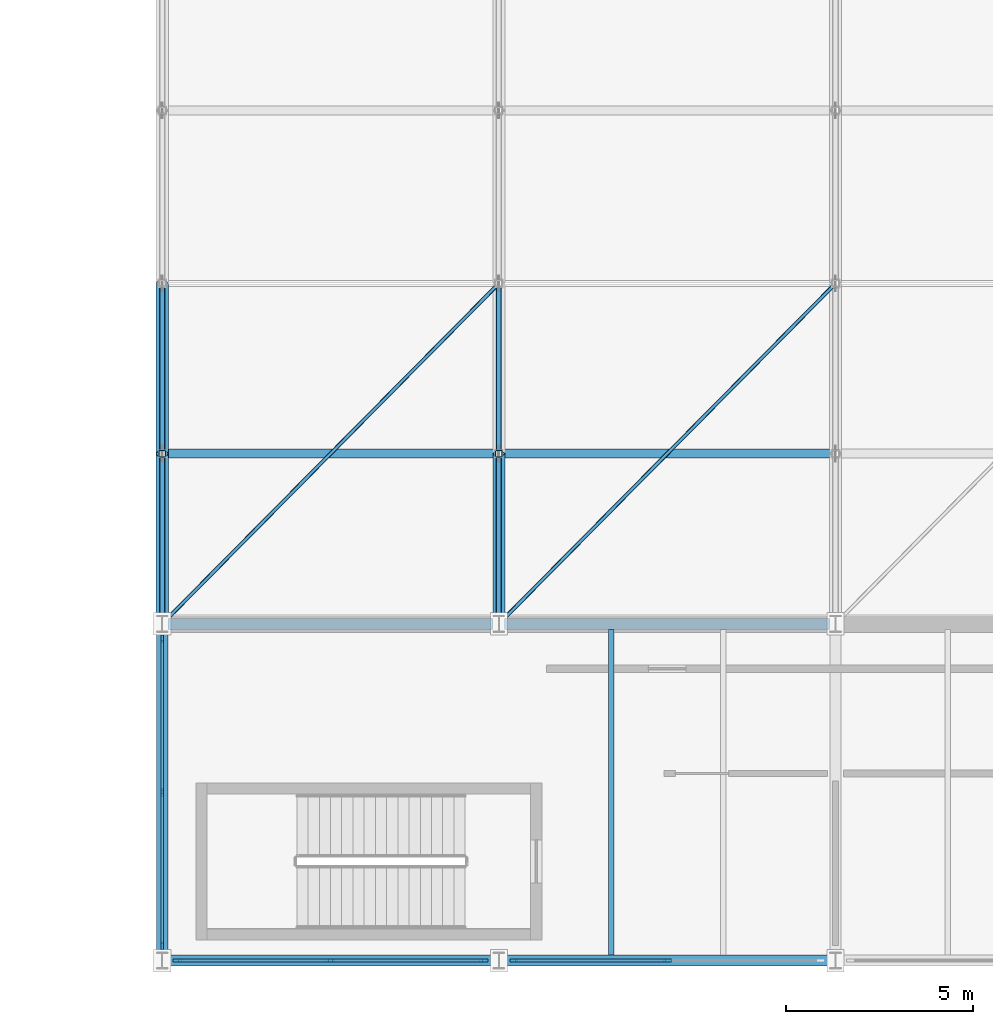
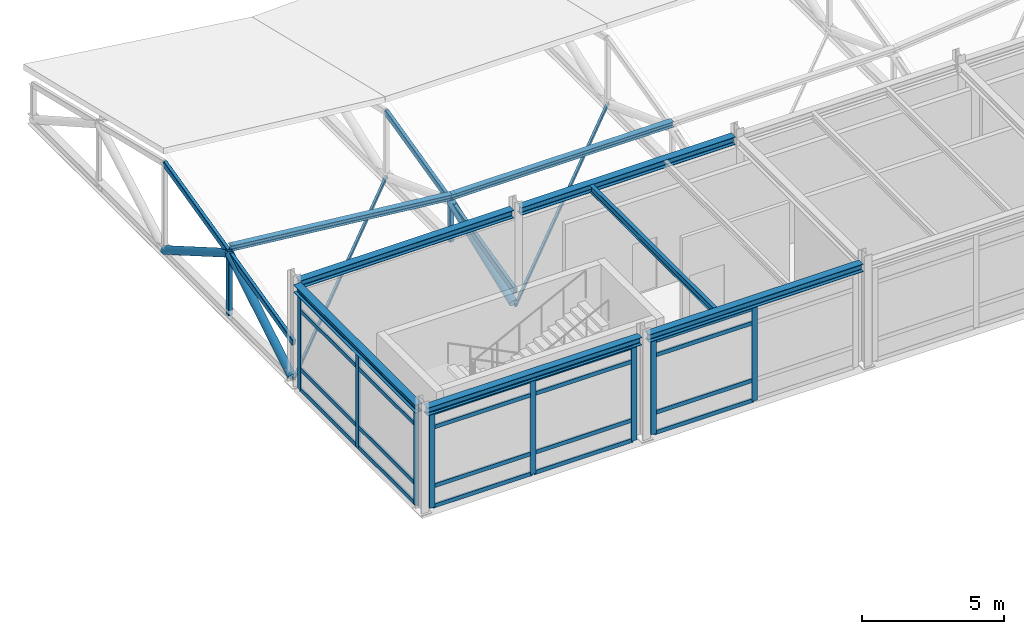
# One storey, part 22 of 90: 39 members, 6 beams, 3 elements without a shape of their own.
"""IFC4 building model written with IfcOpenShell, lengths in metres."""

from ifc_helpers import new_model, si_unit, direction, frame, origin, origin_2d, place, context, subcontext, project, spatial, rectangle, hollow_rectangle, hollow_circle, i_section, extrude, material, material_profile, profile_set, type_object, element, aggregate, save


model = new_model("IFC4")

# Units and contexts
model_context = context("Model", 3, precision=1e-05, world=origin(), true_north=direction((0.0, 1.0)))
body_context = subcontext(model_context, "Body", "Model", "MODEL_VIEW")
ifc_project = project(units=[si_unit("LENGTHUNIT", "METRE"), si_unit("AREAUNIT", "SQUARE_METRE"), si_unit("VOLUMEUNIT", "CUBIC_METRE"), si_unit("PLANEANGLEUNIT", "RADIAN"), si_unit("MASSUNIT", "GRAM", prefix="KILO")], contexts=[model_context])

# Site, building, storey
site_placement = place(None, origin())
site = spatial("IfcSite", under=ifc_project, at=site_placement, CompositionType="ELEMENT")
building_placement = place(site_placement, origin())
building = spatial("IfcBuilding", under=site, at=building_placement, Name="Bozkorgan Art Gallery", CompositionType="ELEMENT")
storey_placement = place(building_placement, frame((0.0, 0.0, 5.39990234375)))
storey = spatial("IfcBuildingStorey", under=building, at=storey_placement, Name="L01", CompositionType="ELEMENT", Elevation=5.39990234375)

# Beams
ifc_material_1 = material(Name="Steel S355J2", Category="steel")
ifc_material_profile_1 = material_profile(ifc_material_1, i_section(OverallWidth=0.14990234375, OverallDepth=0.300048828125, WebThickness=0.007080078125, FlangeThickness=0.0107421875, FilletRadius=0.014892578125, at=origin_2d()), Name="IPE 300")
ifc_profile_set_1 = profile_set([ifc_material_profile_1], Name="Steel S355J2")
beam_type_1 = type_object("IfcBeamType", Name="BEAM-JS-88", PredefinedType="JOIST", material=ifc_profile_set_1)
beam_1_placement = place(storey_placement, frame((95.0, 2.14990234375, 4.2900390625), z_axis=(0.0, 1.0, 0.0), x_axis=(-1.0, 0.0, 0.0)))
element("IfcBeam", 1, at=beam_1_placement, inside=storey, type_object=beam_type_1, Name="V3 L01 secondary joist (92-101, 2.0-11.0) #1", PredefinedType="JOIST", context=body_context, shape_type="SweptSolid", body=[
    extrude(i_section(OverallWidth=0.14990234375, OverallDepth=0.300048828125, WebThickness=0.007080078125, FlangeThickness=0.0107421875, FilletRadius=0.014892578125, at=origin_2d()), origin(), (0.0, 0.0, 1.0), 8.7001953125),
])
ifc_material_profile_2 = material_profile(ifc_material_1, i_section(OverallWidth=0.300048828125, OverallDepth=0.330078125, WebThickness=0.009521484375, FlangeThickness=0.0166015625, FilletRadius=0.027099609375, at=origin_2d()), Name="HEA 340")
ifc_profile_set_2 = profile_set([ifc_material_profile_2], Name="Steel S355J2")
beam_type_2 = type_object("IfcBeamType", Name="BEAM-SP-91", PredefinedType="SPANDREL", material=ifc_profile_set_2)
for number, where, z_axis, x_axis, name in (
    (2, (83.14990234375, 2.0, 4.275146484375), (1.0, 0.0, 0.0), (0.0, 1.0, 0.0), "V3 L01 spandrel X (83-92, 2.0)"),
    (3, (92.14990234375, 2.0, 4.275146484375), (1.0, 0.0, 0.0), (0.0, 1.0, 0.0), "V3 L01 spandrel X (92-101, 2.0)"),
    (4, (83.14990234375, 11.0, 4.275146484375), (1.0, 0.0, 0.0), (0.0, 1.0, 0.0), "V3 L01 spandrel X (83-92, 11.0)"),
    (5, (92.14990234375, 11.0, 4.275146484375), (1.0, 0.0, 0.0), (0.0, 1.0, 0.0), "V3 L01 spandrel X (92-101, 11.0)"),
):
    element("IfcBeam", number, at=place(storey_placement, frame(where, z_axis=z_axis, x_axis=x_axis)), inside=storey, type_object=beam_type_2, Name=name, PredefinedType="SPANDREL", context=body_context, shape_type="SweptSolid", body=[
        extrude(i_section(OverallWidth=0.300048828125, OverallDepth=0.330078125, WebThickness=0.009521484375, FlangeThickness=0.0166015625, FilletRadius=0.027099609375, at=origin_2d()), origin(), (0.0, 0.0, 1.0), 8.7001953125),
    ])
beam_2_placement = place(storey_placement, frame((83.0, 2.219970703125, 4.275146484375), z_axis=(0.0, 1.0, 0.0), x_axis=(-1.0, 0.0, 0.0)))
element("IfcBeam", 6, at=beam_2_placement, inside=storey, type_object=beam_type_2, Name="V3 L01 spandrel Y (83, 2.0-11.0)", PredefinedType="SPANDREL", context=body_context, shape_type="SweptSolid", body=[
    extrude(i_section(OverallWidth=0.300048828125, OverallDepth=0.330078125, WebThickness=0.009521484375, FlangeThickness=0.0166015625, FilletRadius=0.027099609375, at=origin_2d()), origin(), (0.0, 0.0, 1.0), 8.56005859375),
])

# Curtain wall, members
ifc_material_2 = material(Name="Anodised Bronze Aluminium", Category="aluminium")
curtain_wall_type_1 = type_object("IfcCurtainWallType", Name="CW-CW-84", PredefinedType="NOTDEFINED", material=ifc_material_2)
curtain_wall_1_placement = place(storey_placement, origin())
curtain_wall_1 = element("IfcCurtainWall", 7, at=curtain_wall_1_placement, inside=storey, type_object=curtain_wall_type_1, Name="L01 unitised curtain wall CW-V3-L01-1S-01", PredefinedType="NOTDEFINED")
ifc_material_profile_3 = material_profile(ifc_material_2, rectangle(XDim=0.074951171875, YDim=0.219970703125, at=origin_2d()), Name="ALU MULLION 75x220")
ifc_profile_set_3 = profile_set([ifc_material_profile_3], Name="Anodised Bronze Aluminium")
member_type_1 = type_object("IfcMemberType", Name="CWM-02", PredefinedType="MULLION", material=ifc_profile_set_3)
member_1_placement = place(storey_placement, frame((83.402587890625, 2.0, 0.02001953125), z_axis=(0.0, 0.0, 1.0), x_axis=(0.0, 1.0, 0.0)))
member_1 = element("IfcMember", 8, at=member_1_placement, type_object=member_type_1, Name="CW-84 mullion 1", PredefinedType="MULLION", context=body_context, shape_type="SweptSolid", body=[
    extrude(rectangle(XDim=0.074951171875, YDim=0.219970703125, at=origin_2d()), origin(), (0.0, 0.0, 1.0), 4.0751953125),
])
member_2_placement = place(storey_placement, frame((87.5, 2.0, 0.02001953125), z_axis=(0.0, 0.0, 1.0), x_axis=(0.0, 1.0, 0.0)))
member_2 = element("IfcMember", 9, at=member_2_placement, type_object=member_type_1, Name="CW-84 mullion 2", PredefinedType="MULLION", context=body_context, shape_type="SweptSolid", body=[
    extrude(rectangle(XDim=0.074951171875, YDim=0.219970703125, at=origin_2d()), origin(), (0.0, 0.0, 1.0), 4.0751953125),
])
member_3_placement = place(storey_placement, frame((91.597412109375, 2.0, 0.02001953125), z_axis=(0.0, 0.0, 1.0), x_axis=(0.0, 1.0, 0.0)))
member_3 = element("IfcMember", 10, at=member_3_placement, type_object=member_type_1, Name="CW-84 mullion 3", PredefinedType="MULLION", context=body_context, shape_type="SweptSolid", body=[
    extrude(rectangle(XDim=0.074951171875, YDim=0.219970703125, at=origin_2d()), origin(), (0.0, 0.0, 1.0), 4.0751953125),
])

curtain_wall_type_2 = type_object("IfcCurtainWallType", Name="CW-CW-44", PredefinedType="NOTDEFINED", material=ifc_material_2)
curtain_wall_2_placement = place(storey_placement, origin())
curtain_wall_2 = element("IfcCurtainWall", 11, at=curtain_wall_2_placement, inside=storey, type_object=curtain_wall_type_2, Name="L01 unitised curtain wall CW-V3-L01-1S-03", PredefinedType="NOTDEFINED")
member_4_placement = place(storey_placement, frame((92.402587890625, 2.0, 0.02001953125), z_axis=(0.0, 0.0, 1.0), x_axis=(0.0, 1.0, 0.0)))
member_4 = element("IfcMember", 12, at=member_4_placement, type_object=member_type_1, Name="CW-44 mullion 1", PredefinedType="MULLION", context=body_context, shape_type="SweptSolid", body=[
    extrude(rectangle(XDim=0.074951171875, YDim=0.219970703125, at=origin_2d()), origin(), (0.0, 0.0, 1.0), 4.01513671875),
])
member_5_placement = place(storey_placement, frame((96.5, 2.0, 0.02001953125), z_axis=(0.0, 0.0, 1.0), x_axis=(0.0, 1.0, 0.0)))
member_5 = element("IfcMember", 13, at=member_5_placement, type_object=member_type_1, Name="CW-44 mullion 2", PredefinedType="MULLION", context=body_context, shape_type="SweptSolid", body=[
    extrude(rectangle(XDim=0.074951171875, YDim=0.219970703125, at=origin_2d()), origin(), (0.0, 0.0, 1.0), 4.01513671875),
])

curtain_wall_3_placement = place(storey_placement, origin())
curtain_wall_3 = element("IfcCurtainWall", 14, at=curtain_wall_3_placement, inside=storey, type_object=curtain_wall_type_1, Name="L01 unitised curtain wall CW-V3-L01-1W-09", PredefinedType="NOTDEFINED")
member_6_placement = place(storey_placement, frame((83.0, 2.402587890625, 0.02001953125), z_axis=(0.0, 0.0, 1.0), x_axis=(-1.0, 0.0, 0.0)))
member_6 = element("IfcMember", 15, at=member_6_placement, type_object=member_type_1, Name="CW-84 mullion 1", PredefinedType="MULLION", context=body_context, shape_type="SweptSolid", body=[
    extrude(rectangle(XDim=0.074951171875, YDim=0.219970703125, at=origin_2d()), origin(), (0.0, 0.0, 1.0), 4.0751953125),
])
member_7_placement = place(storey_placement, frame((83.0, 6.5, 0.02001953125), z_axis=(0.0, 0.0, 1.0), x_axis=(-1.0, 0.0, 0.0)))
member_7 = element("IfcMember", 16, at=member_7_placement, type_object=member_type_1, Name="CW-84 mullion 2", PredefinedType="MULLION", context=body_context, shape_type="SweptSolid", body=[
    extrude(rectangle(XDim=0.074951171875, YDim=0.219970703125, at=origin_2d()), origin(), (0.0, 0.0, 1.0), 4.0751953125),
])
member_8_placement = place(storey_placement, frame((83.0, 10.597412109375, 0.02001953125), z_axis=(0.0, 0.0, 1.0), x_axis=(-1.0, 0.0, 0.0)))
member_8 = element("IfcMember", 17, at=member_8_placement, type_object=member_type_1, Name="CW-84 mullion 3", PredefinedType="MULLION", context=body_context, shape_type="SweptSolid", body=[
    extrude(rectangle(XDim=0.074951171875, YDim=0.219970703125, at=origin_2d()), origin(), (0.0, 0.0, 1.0), 4.0751953125),
])

# Member
ifc_material_profile_4 = material_profile(ifc_material_2, rectangle(XDim=0.074951171875, YDim=0.169921875, at=origin_2d()), Name="ALU TRANSOM 75x170")
ifc_profile_set_4 = profile_set([ifc_material_profile_4], Name="Anodised Bronze Aluminium")
member_type_2 = type_object("IfcMemberType", Name="CWT-02", PredefinedType="USERDEFINED", material=ifc_profile_set_4)
member_9_placement = place(storey_placement, frame((83.43994140625, 2.0, 0.0576171875), z_axis=(1.0, 0.0, 0.0), x_axis=(0.0, 1.0, 0.0)))
member_9 = element("IfcMember", 18, at=member_9_placement, type_object=member_type_2, Name="CW-84 transom 1.1", ObjectType="TRANSOM", PredefinedType="USERDEFINED", context=body_context, shape_type="SweptSolid", body=[
    extrude(rectangle(XDim=0.074951171875, YDim=0.169921875, at=origin_2d()), origin(), (0.0, 0.0, 1.0), 4.0224609375),
])

member_10_placement = place(storey_placement, frame((83.43994140625, 2.0, 0.920166015625), z_axis=(1.0, 0.0, 0.0), x_axis=(0.0, 1.0, 0.0)))
member_10 = element("IfcMember", 19, at=member_10_placement, type_object=member_type_2, Name="CW-84 transom 1.2", ObjectType="TRANSOM", PredefinedType="USERDEFINED", context=body_context, shape_type="SweptSolid", body=[
    extrude(rectangle(XDim=0.074951171875, YDim=0.169921875, at=origin_2d()), origin(), (0.0, 0.0, 1.0), 4.0224609375),
])

member_11_placement = place(storey_placement, frame((83.43994140625, 2.0, 3.445068359375), z_axis=(1.0, 0.0, 0.0), x_axis=(0.0, 1.0, 0.0)))
member_11 = element("IfcMember", 20, at=member_11_placement, type_object=member_type_2, Name="CW-84 transom 1.3", ObjectType="TRANSOM", PredefinedType="USERDEFINED", context=body_context, shape_type="SweptSolid", body=[
    extrude(rectangle(XDim=0.074951171875, YDim=0.169921875, at=origin_2d()), origin(), (0.0, 0.0, 1.0), 4.0224609375),
])

member_12_placement = place(storey_placement, frame((83.43994140625, 2.0, 4.0576171875), z_axis=(1.0, 0.0, 0.0), x_axis=(0.0, 1.0, 0.0)))
member_12 = element("IfcMember", 21, at=member_12_placement, type_object=member_type_2, Name="CW-84 transom 1.4", ObjectType="TRANSOM", PredefinedType="USERDEFINED", context=body_context, shape_type="SweptSolid", body=[
    extrude(rectangle(XDim=0.074951171875, YDim=0.169921875, at=origin_2d()), origin(), (0.0, 0.0, 1.0), 4.0224609375),
])

member_13_placement = place(storey_placement, frame((87.53759765625, 2.0, 0.0576171875), z_axis=(1.0, 0.0, 0.0), x_axis=(0.0, 1.0, 0.0)))
member_13 = element("IfcMember", 22, at=member_13_placement, type_object=member_type_2, Name="CW-84 transom 2.1", ObjectType="TRANSOM", PredefinedType="USERDEFINED", context=body_context, shape_type="SweptSolid", body=[
    extrude(rectangle(XDim=0.074951171875, YDim=0.169921875, at=origin_2d()), origin(), (0.0, 0.0, 1.0), 4.0224609375),
])

member_14_placement = place(storey_placement, frame((87.53759765625, 2.0, 0.920166015625), z_axis=(1.0, 0.0, 0.0), x_axis=(0.0, 1.0, 0.0)))
member_14 = element("IfcMember", 23, at=member_14_placement, type_object=member_type_2, Name="CW-84 transom 2.2", ObjectType="TRANSOM", PredefinedType="USERDEFINED", context=body_context, shape_type="SweptSolid", body=[
    extrude(rectangle(XDim=0.074951171875, YDim=0.169921875, at=origin_2d()), origin(), (0.0, 0.0, 1.0), 4.0224609375),
])

member_15_placement = place(storey_placement, frame((87.53759765625, 2.0, 3.445068359375), z_axis=(1.0, 0.0, 0.0), x_axis=(0.0, 1.0, 0.0)))
member_15 = element("IfcMember", 24, at=member_15_placement, type_object=member_type_2, Name="CW-84 transom 2.3", ObjectType="TRANSOM", PredefinedType="USERDEFINED", context=body_context, shape_type="SweptSolid", body=[
    extrude(rectangle(XDim=0.074951171875, YDim=0.169921875, at=origin_2d()), origin(), (0.0, 0.0, 1.0), 4.0224609375),
])

member_16_placement = place(storey_placement, frame((87.53759765625, 2.0, 4.0576171875), z_axis=(1.0, 0.0, 0.0), x_axis=(0.0, 1.0, 0.0)))
member_16 = element("IfcMember", 25, at=member_16_placement, type_object=member_type_2, Name="CW-84 transom 2.4", ObjectType="TRANSOM", PredefinedType="USERDEFINED", context=body_context, shape_type="SweptSolid", body=[
    extrude(rectangle(XDim=0.074951171875, YDim=0.169921875, at=origin_2d()), origin(), (0.0, 0.0, 1.0), 4.0224609375),
])

aggregate(curtain_wall_1, [member_1, member_2, member_3, member_9, member_10, member_11, member_12, member_13, member_14, member_15, member_16])

member_17_placement = place(storey_placement, frame((92.43994140625, 2.0, 0.0576171875), z_axis=(1.0, 0.0, 0.0), x_axis=(0.0, 1.0, 0.0)))
member_17 = element("IfcMember", 26, at=member_17_placement, type_object=member_type_2, Name="CW-44 transom 1.1", ObjectType="TRANSOM", PredefinedType="USERDEFINED", context=body_context, shape_type="SweptSolid", body=[
    extrude(rectangle(XDim=0.074951171875, YDim=0.169921875, at=origin_2d()), origin(), (0.0, 0.0, 1.0), 4.0224609375),
])

member_18_placement = place(storey_placement, frame((92.43994140625, 2.0, 0.920166015625), z_axis=(1.0, 0.0, 0.0), x_axis=(0.0, 1.0, 0.0)))
member_18 = element("IfcMember", 27, at=member_18_placement, type_object=member_type_2, Name="CW-44 transom 1.2", ObjectType="TRANSOM", PredefinedType="USERDEFINED", context=body_context, shape_type="SweptSolid", body=[
    extrude(rectangle(XDim=0.074951171875, YDim=0.169921875, at=origin_2d()), origin(), (0.0, 0.0, 1.0), 4.0224609375),
])

member_19_placement = place(storey_placement, frame((92.43994140625, 2.0, 3.385009765625), z_axis=(1.0, 0.0, 0.0), x_axis=(0.0, 1.0, 0.0)))
member_19 = element("IfcMember", 28, at=member_19_placement, type_object=member_type_2, Name="CW-44 transom 1.3", ObjectType="TRANSOM", PredefinedType="USERDEFINED", context=body_context, shape_type="SweptSolid", body=[
    extrude(rectangle(XDim=0.074951171875, YDim=0.169921875, at=origin_2d()), origin(), (0.0, 0.0, 1.0), 4.0224609375),
])

member_20_placement = place(storey_placement, frame((92.43994140625, 2.0, 3.99755859375), z_axis=(1.0, 0.0, 0.0), x_axis=(0.0, 1.0, 0.0)))
member_20 = element("IfcMember", 29, at=member_20_placement, type_object=member_type_2, Name="CW-44 transom 1.4", ObjectType="TRANSOM", PredefinedType="USERDEFINED", context=body_context, shape_type="SweptSolid", body=[
    extrude(rectangle(XDim=0.074951171875, YDim=0.169921875, at=origin_2d()), origin(), (0.0, 0.0, 1.0), 4.0224609375),
])

aggregate(curtain_wall_2, [member_4, member_5, member_17, member_18, member_19, member_20])

member_21_placement = place(storey_placement, frame((83.0, 2.43994140625, 0.0576171875), z_axis=(0.0, 1.0, 0.0), x_axis=(-1.0, 0.0, 0.0)))
member_21 = element("IfcMember", 30, at=member_21_placement, type_object=member_type_2, Name="CW-84 transom 1.1", ObjectType="TRANSOM", PredefinedType="USERDEFINED", context=body_context, shape_type="SweptSolid", body=[
    extrude(rectangle(XDim=0.074951171875, YDim=0.169921875, at=origin_2d()), origin(), (0.0, 0.0, 1.0), 4.0224609375),
])

member_22_placement = place(storey_placement, frame((83.0, 2.43994140625, 0.920166015625), z_axis=(0.0, 1.0, 0.0), x_axis=(-1.0, 0.0, 0.0)))
member_22 = element("IfcMember", 31, at=member_22_placement, type_object=member_type_2, Name="CW-84 transom 1.2", ObjectType="TRANSOM", PredefinedType="USERDEFINED", context=body_context, shape_type="SweptSolid", body=[
    extrude(rectangle(XDim=0.074951171875, YDim=0.169921875, at=origin_2d()), origin(), (0.0, 0.0, 1.0), 4.0224609375),
])

member_23_placement = place(storey_placement, frame((83.0, 2.43994140625, 3.445068359375), z_axis=(0.0, 1.0, 0.0), x_axis=(-1.0, 0.0, 0.0)))
member_23 = element("IfcMember", 32, at=member_23_placement, type_object=member_type_2, Name="CW-84 transom 1.3", ObjectType="TRANSOM", PredefinedType="USERDEFINED", context=body_context, shape_type="SweptSolid", body=[
    extrude(rectangle(XDim=0.074951171875, YDim=0.169921875, at=origin_2d()), origin(), (0.0, 0.0, 1.0), 4.0224609375),
])

member_24_placement = place(storey_placement, frame((83.0, 2.43994140625, 4.0576171875), z_axis=(0.0, 1.0, 0.0), x_axis=(-1.0, 0.0, 0.0)))
member_24 = element("IfcMember", 33, at=member_24_placement, type_object=member_type_2, Name="CW-84 transom 1.4", ObjectType="TRANSOM", PredefinedType="USERDEFINED", context=body_context, shape_type="SweptSolid", body=[
    extrude(rectangle(XDim=0.074951171875, YDim=0.169921875, at=origin_2d()), origin(), (0.0, 0.0, 1.0), 4.0224609375),
])

member_25_placement = place(storey_placement, frame((83.0, 6.53759765625, 0.0576171875), z_axis=(0.0, 1.0, 0.0), x_axis=(-1.0, 0.0, 0.0)))
member_25 = element("IfcMember", 34, at=member_25_placement, type_object=member_type_2, Name="CW-84 transom 2.1", ObjectType="TRANSOM", PredefinedType="USERDEFINED", context=body_context, shape_type="SweptSolid", body=[
    extrude(rectangle(XDim=0.074951171875, YDim=0.169921875, at=origin_2d()), origin(), (0.0, 0.0, 1.0), 4.0224609375),
])

member_26_placement = place(storey_placement, frame((83.0, 6.53759765625, 0.920166015625), z_axis=(0.0, 1.0, 0.0), x_axis=(-1.0, 0.0, 0.0)))
member_26 = element("IfcMember", 35, at=member_26_placement, type_object=member_type_2, Name="CW-84 transom 2.2", ObjectType="TRANSOM", PredefinedType="USERDEFINED", context=body_context, shape_type="SweptSolid", body=[
    extrude(rectangle(XDim=0.074951171875, YDim=0.169921875, at=origin_2d()), origin(), (0.0, 0.0, 1.0), 4.0224609375),
])

member_27_placement = place(storey_placement, frame((83.0, 6.53759765625, 3.445068359375), z_axis=(0.0, 1.0, 0.0), x_axis=(-1.0, 0.0, 0.0)))
member_27 = element("IfcMember", 36, at=member_27_placement, type_object=member_type_2, Name="CW-84 transom 2.3", ObjectType="TRANSOM", PredefinedType="USERDEFINED", context=body_context, shape_type="SweptSolid", body=[
    extrude(rectangle(XDim=0.074951171875, YDim=0.169921875, at=origin_2d()), origin(), (0.0, 0.0, 1.0), 4.0224609375),
])

member_28_placement = place(storey_placement, frame((83.0, 6.53759765625, 4.0576171875), z_axis=(0.0, 1.0, 0.0), x_axis=(-1.0, 0.0, 0.0)))
member_28 = element("IfcMember", 37, at=member_28_placement, type_object=member_type_2, Name="CW-84 transom 2.4", ObjectType="TRANSOM", PredefinedType="USERDEFINED", context=body_context, shape_type="SweptSolid", body=[
    extrude(rectangle(XDim=0.074951171875, YDim=0.169921875, at=origin_2d()), origin(), (0.0, 0.0, 1.0), 4.0224609375),
])

aggregate(curtain_wall_3, [member_6, member_7, member_8, member_21, member_22, member_23, member_24, member_25, member_26, member_27, member_28])

# Members
ifc_material_profile_5 = material_profile(ifc_material_1, i_section(OverallWidth=0.239990234375, OverallDepth=0.22998046875, WebThickness=0.007568359375, FlangeThickness=0.011962890625, FilletRadius=0.02099609375, at=origin_2d()), Name="HEA 240")
ifc_profile_set_5 = profile_set([ifc_material_profile_5], Name="Steel S355J2")
member_type_3 = type_object("IfcMemberType", Name="MEMBER-PR-93", PredefinedType="PURLIN", material=ifc_profile_set_5)
member_29_placement = place(storey_placement, frame((83.0, 15.550048828125, 3.1005859375), z_axis=(0.994598929439, 0.0, -0.103792916709), x_axis=(0.0, 1.0, 0.0)))
element("IfcMember", 38, at=member_29_placement, inside=storey, type_object=member_type_3, Name="ROOF-V3-BOWL roof purlin 1S", PredefinedType="PURLIN", context=body_context, shape_type="SweptSolid", body=[
    extrude(i_section(OverallWidth=0.239990234375, OverallDepth=0.22998046875, WebThickness=0.007568359375, FlangeThickness=0.011962890625, FilletRadius=0.02099609375, at=origin_2d()), origin(), (0.0, 0.0, 1.0), 9.048828125),
])
member_30_placement = place(storey_placement, frame((92.0, 15.550048828125, 2.161376953125), z_axis=(0.999999574673, 0.0, -0.000922308635), x_axis=(0.0, 1.0, 0.0)))
element("IfcMember", 39, at=member_30_placement, inside=storey, type_object=member_type_3, Name="ROOF-V3-BOWL roof purlin 2S", PredefinedType="PURLIN", context=body_context, shape_type="SweptSolid", body=[
    extrude(i_section(OverallWidth=0.239990234375, OverallDepth=0.22998046875, WebThickness=0.007568359375, FlangeThickness=0.011962890625, FilletRadius=0.02099609375, at=origin_2d()), origin(), (0.0, 0.0, 1.0), 9.0),
])
ifc_material_profile_6 = material_profile(ifc_material_1, hollow_rectangle(XDim=0.14990234375, YDim=0.25, WallThickness=0.010009765625, InnerFilletRadius=0.014892578125, OuterFilletRadius=0.02490234375, at=origin_2d()), Name="RHS 250x150x10")
ifc_profile_set_6 = profile_set([ifc_material_profile_6], Name="Steel S355J2")
member_type_4 = type_object("IfcMemberType", Name="MEMBER-TC-35", PredefinedType="CHORD", material=ifc_profile_set_6)
for number, where, z_axis, x_axis, name in (
    (40, (83.0, 11.0, 1.768310546875), (0.0, 0.97237403975, 0.233428204853), (-1.0, 0.0, 0.0), "ROOF-V3-BOWL roof truss 1 south top chord"),
    (41, (92.0, 11.0, 0.8291015625), (0.0, 0.97237403975, 0.233428204853), (-1.0, 0.0, 0.0), "ROOF-V3-BOWL roof truss 2 south top chord"),
):
    element("IfcMember", number, at=place(storey_placement, frame(where, z_axis=z_axis, x_axis=x_axis)), inside=storey, type_object=member_type_4, Name=name, PredefinedType="CHORD", context=body_context, shape_type="SweptSolid", body=[
        extrude(hollow_rectangle(XDim=0.14990234375, YDim=0.25, WallThickness=0.010009765625, InnerFilletRadius=0.014892578125, OuterFilletRadius=0.02490234375, at=origin_2d()), origin(), (0.0, 0.0, 1.0), 9.358642578125),
    ])
ifc_material_profile_7 = material_profile(ifc_material_1, hollow_rectangle(XDim=0.179931640625, YDim=0.179931640625, WallThickness=0.010009765625, InnerFilletRadius=0.014892578125, OuterFilletRadius=0.02490234375, at=origin_2d()), Name="SHS 180x180x10")
ifc_profile_set_7 = profile_set([ifc_material_profile_7], Name="Steel S355J2")
member_type_5 = type_object("IfcMemberType", Name="MEMBER-TP-98", PredefinedType="POST", material=ifc_profile_set_7)
member_31_placement = place(storey_placement, frame((83.0, 15.550048828125, 0.22509765625), z_axis=(0.0, 0.0, 1.0), x_axis=(1.0, 0.0, 0.0)))
element("IfcMember", 42, at=member_31_placement, inside=storey, type_object=member_type_5, Name="ROOF-V3-BOWL roof truss 1 post 1", PredefinedType="POST", context=body_context, shape_type="SweptSolid", body=[
    extrude(hollow_rectangle(XDim=0.179931640625, YDim=0.179931640625, WallThickness=0.010009765625, InnerFilletRadius=0.014892578125, OuterFilletRadius=0.02490234375, at=origin_2d()), origin(), (0.0, 0.0, 1.0), 2.635498046875),
])
member_32_placement = place(storey_placement, frame((92.0, 15.550048828125, 0.22509765625), z_axis=(0.0, 0.0, 1.0), x_axis=(1.0, 0.0, 0.0)))
element("IfcMember", 43, at=member_32_placement, inside=storey, type_object=member_type_5, Name="ROOF-V3-BOWL roof truss 2 post 1", PredefinedType="POST", context=body_context, shape_type="SweptSolid", body=[
    extrude(hollow_rectangle(XDim=0.179931640625, YDim=0.179931640625, WallThickness=0.010009765625, InnerFilletRadius=0.014892578125, OuterFilletRadius=0.02490234375, at=origin_2d()), origin(), (0.0, 0.0, 1.0), 1.6962890625),
])
ifc_material_profile_8 = material_profile(ifc_material_1, hollow_circle(Radius=0.161865234375, WallThickness=0.012451171875, at=origin_2d()), Name="CHS 323.9x12.5")
ifc_profile_set_8 = profile_set([ifc_material_profile_8], Name="Steel S355J2")
member_type_6 = type_object("IfcMemberType", Name="MEMBER-TW-97", PredefinedType="BRACE", material=ifc_profile_set_8)
member_33_placement = place(storey_placement, frame((83.0, 11.14990234375, 0.22509765625), z_axis=(0.0, 0.857887469884, 0.513837609577), x_axis=(-1.0, 0.0, 0.0)))
element("IfcMember", 44, at=member_33_placement, inside=storey, type_object=member_type_6, Name="ROOF-V3-BOWL roof truss 1 diagonal 1", PredefinedType="BRACE", context=body_context, shape_type="SweptSolid", body=[
    extrude(hollow_circle(Radius=0.161865234375, WallThickness=0.012451171875, at=origin_2d()), origin(), (0.0, 0.0, 1.0), 5.129150390625),
])
member_34_placement = place(storey_placement, frame((83.0, 15.550048828125, 2.860595703125), z_axis=(0.0, 0.865322424743, -0.501215623496), x_axis=(-1.0, 0.0, 0.0)))
element("IfcMember", 45, at=member_34_placement, inside=storey, type_object=member_type_6, Name="ROOF-V3-BOWL roof truss 1 diagonal 2", PredefinedType="BRACE", context=body_context, shape_type="SweptSolid", body=[
    extrude(hollow_circle(Radius=0.161865234375, WallThickness=0.012451171875, at=origin_2d()), origin(), (0.0, 0.0, 1.0), 5.25830078125),
])
member_35_placement = place(storey_placement, frame((92.0, 11.14990234375, 0.22509765625), z_axis=(0.0, 0.933066455695, 0.359704030082), x_axis=(-1.0, 0.0, 0.0)))
element("IfcMember", 46, at=member_35_placement, inside=storey, type_object=member_type_6, Name="ROOF-V3-BOWL roof truss 2 diagonal 1", PredefinedType="BRACE", context=body_context, shape_type="SweptSolid", body=[
    extrude(hollow_circle(Radius=0.161865234375, WallThickness=0.012451171875, at=origin_2d()), origin(), (0.0, 0.0, 1.0), 4.7158203125),
])
ifc_material_profile_9 = material_profile(ifc_material_1, hollow_rectangle(XDim=0.10009765625, YDim=0.14990234375, WallThickness=0.008056640625, InnerFilletRadius=0.011962890625, OuterFilletRadius=0.02001953125, at=origin_2d()), Name="RHS 150x100x8")
ifc_profile_set_9 = profile_set([ifc_material_profile_9], Name="Steel S355J2")
member_type_7 = type_object("IfcMemberType", Name="MEMBER-WB-10", PredefinedType="BRACE", material=ifc_profile_set_9)
for number, where, z_axis, x_axis, name in (
    (47, (83.0, 11.0, 0.22509765625), (0.703185567055, 0.711006370074, 0.0), (-0.711006370074, 0.703185567055, 0.0), "ROOF-V3-BOWL roof diaphragm wind brace 1"),
    (48, (92.0, 11.0, 0.22509765625), (0.703185567055, 0.711006370074, 0.0), (-0.711006370074, 0.703185567055, 0.0), "ROOF-V3-BOWL roof diaphragm wind brace 2"),
):
    element("IfcMember", number, at=place(storey_placement, frame(where, z_axis=z_axis, x_axis=x_axis)), inside=storey, type_object=member_type_7, Name=name, PredefinedType="BRACE", context=body_context, shape_type="SweptSolid", body=[
        extrude(hollow_rectangle(XDim=0.10009765625, YDim=0.14990234375, WallThickness=0.008056640625, InnerFilletRadius=0.011962890625, OuterFilletRadius=0.02001953125, at=origin_2d()), origin(), (0.0, 0.0, 1.0), 12.798828125),
    ])

save(model, "model.ifc")
